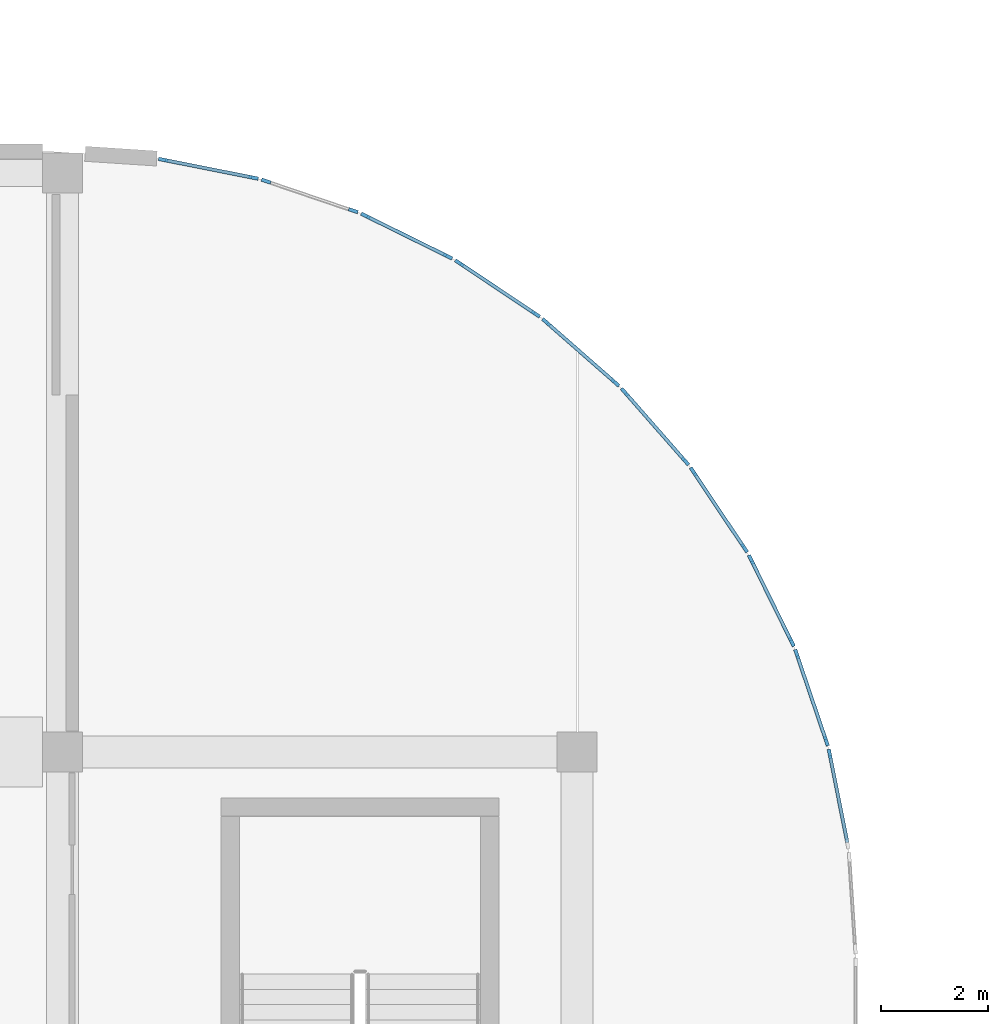
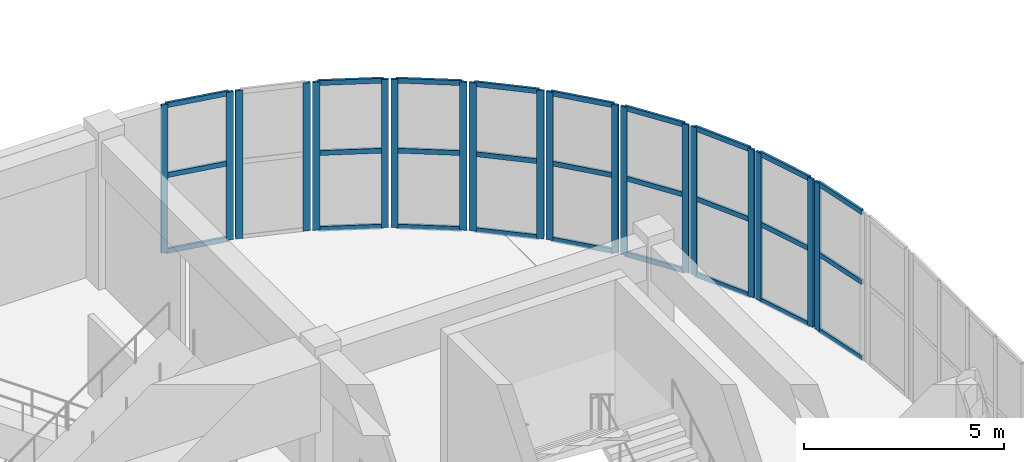
# One storey, part 12 of 28: 46 members, 10 elements without a shape of their own.
"""IFC4 building model written with IfcOpenShell, lengths in metres."""

from ifc_helpers import new_model, si_unit, direction, frame, origin, origin_2d, place, context, subcontext, project, spatial, rectangle, extrude, material, layer, layer_set, material_profile, profile_set, type_object, element, aggregate, save


model = new_model("IFC4")

# Units and contexts
model_context = context("Model", 3, precision=1e-05, world=origin(), true_north=direction((0.0, 1.0)))
body_context = subcontext(model_context, "Body", "Model", "MODEL_VIEW")
ifc_project = project(units=[si_unit("LENGTHUNIT", "METRE"), si_unit("AREAUNIT", "SQUARE_METRE"), si_unit("VOLUMEUNIT", "CUBIC_METRE"), si_unit("PLANEANGLEUNIT", "RADIAN"), si_unit("MASSUNIT", "GRAM", prefix="KILO")], contexts=[model_context])

# Site, building, storey
site_placement = place(None, origin())
site = spatial("IfcSite", under=ifc_project, at=site_placement, CompositionType="ELEMENT")
building_placement = place(site_placement, origin())
building = spatial("IfcBuilding", under=site, at=building_placement, Name="Cendralis Terraced Arcade", CompositionType="ELEMENT")
storey_placement = place(building_placement, frame((0.0, 0.0, 24.60009765625)))
storey = spatial("IfcBuildingStorey", under=building, at=storey_placement, Name="L05", CompositionType="ELEMENT", Elevation=24.60009765625)

# Curtain wall, members
ifc_material = material(Name="Anodised aluminium EN AW-6063 T6", Category="aluminium")
ifc_layer = layer(ifc_material, 0.179931640625, Name="CW-UNIT-A")
ifc_layer_set = layer_set([ifc_layer], Name="Anodised aluminium EN AW-6063 T6")
curtain_wall_type = type_object("IfcCurtainWallType", Name="CW-UNIT-A", PredefinedType="USERDEFINED", material=ifc_layer_set)
curtain_wall_1_placement = place(storey_placement, origin())
curtain_wall_1 = element("IfcCurtainWall", 1, at=curtain_wall_1_placement, inside=storey, type_object=curtain_wall_type, Name="Exterior Unitised Facade CW-L05-0390", ObjectType="UNITISED FACADE", PredefinedType="USERDEFINED")
ifc_material_profile_1 = material_profile(ifc_material, rectangle(XDim=0.06494140625, YDim=0.179931640625, at=origin_2d()), Name="ALU-MUL-65x180")
ifc_profile_set_1 = profile_set([ifc_material_profile_1], Name="Anodised aluminium EN AW-6063 T6")
member_type_1 = type_object("IfcMemberType", Name="CW-UNIT-A-MUL", PredefinedType="MULLION", material=ifc_profile_set_1)
member_1_placement = place(storey_placement, frame((49.878173828125, 49.44775390625, 0.0), z_axis=(0.0, 0.0, 1.0), x_axis=(0.195058454434, 0.980791618721, 0.0)))
member_1 = element("IfcMember", 2, at=member_1_placement, type_object=member_type_1, Name="CW-U1 mullion 1", PredefinedType="MULLION", context=body_context, shape_type="SweptSolid", body=[
    extrude(rectangle(XDim=0.06494140625, YDim=0.179931640625, at=origin_2d()), origin(), (0.0, 0.0, 1.0), 4.510009765625),
])
member_2_placement = place(storey_placement, frame((51.56201171875, 49.11279296875, 0.0), z_axis=(0.0, 0.0, 1.0), x_axis=(0.195058454434, 0.980791618721, 0.0)))
member_2 = element("IfcMember", 3, at=member_2_placement, type_object=member_type_1, Name="CW-U1 mullion 2", PredefinedType="MULLION", context=body_context, shape_type="SweptSolid", body=[
    extrude(rectangle(XDim=0.06494140625, YDim=0.179931640625, at=origin_2d()), origin(), (0.0, 0.0, 1.0), 4.510009765625),
])

curtain_wall_2_placement = place(storey_placement, origin())
curtain_wall_2 = element("IfcCurtainWall", 4, at=curtain_wall_2_placement, inside=storey, type_object=curtain_wall_type, Name="Exterior Unitised Facade CW-L05-0391", ObjectType="UNITISED FACADE", PredefinedType="USERDEFINED")
member_3_placement = place(storey_placement, frame((51.79833984375, 49.049560546875, 0.0), z_axis=(0.0, 0.0, 1.0), x_axis=(0.321458077458, 0.946923811316, 0.0)))
member_3 = element("IfcMember", 5, at=member_3_placement, type_object=member_type_1, Name="CW-U1 mullion 1", PredefinedType="MULLION", context=body_context, shape_type="SweptSolid", body=[
    extrude(rectangle(XDim=0.06494140625, YDim=0.179931640625, at=origin_2d()), origin(), (0.0, 0.0, 1.0), 4.510009765625),
])
member_4_placement = place(storey_placement, frame((53.42431640625, 48.49755859375, 0.0), z_axis=(0.0, 0.0, 1.0), x_axis=(0.321458077458, 0.946923811316, 0.0)))
member_4 = element("IfcMember", 6, at=member_4_placement, type_object=member_type_1, Name="CW-U1 mullion 2", PredefinedType="MULLION", context=body_context, shape_type="SweptSolid", body=[
    extrude(rectangle(XDim=0.06494140625, YDim=0.179931640625, at=origin_2d()), origin(), (0.0, 0.0, 1.0), 4.510009765625),
])
aggregate(curtain_wall_2, [member_3, member_4])

curtain_wall_3_placement = place(storey_placement, origin())
curtain_wall_3 = element("IfcCurtainWall", 7, at=curtain_wall_3_placement, inside=storey, type_object=curtain_wall_type, Name="Exterior Unitised Facade CW-L05-0392", ObjectType="UNITISED FACADE", PredefinedType="USERDEFINED")
member_5_placement = place(storey_placement, frame((53.650146484375, 48.404052734375, 0.0), z_axis=(0.0, 0.0, 1.0), x_axis=(0.442291247495, 0.896871480419, 0.0)))
member_5 = element("IfcMember", 8, at=member_5_placement, type_object=member_type_1, Name="CW-U1 mullion 1", PredefinedType="MULLION", context=body_context, shape_type="SweptSolid", body=[
    extrude(rectangle(XDim=0.06494140625, YDim=0.179931640625, at=origin_2d()), origin(), (0.0, 0.0, 1.0), 4.510009765625),
])
member_6_placement = place(storey_placement, frame((55.190185546875, 47.64453125, 0.0), z_axis=(0.0, 0.0, 1.0), x_axis=(0.442291247495, 0.896871480419, 0.0)))
member_6 = element("IfcMember", 9, at=member_6_placement, type_object=member_type_1, Name="CW-U1 mullion 2", PredefinedType="MULLION", context=body_context, shape_type="SweptSolid", body=[
    extrude(rectangle(XDim=0.06494140625, YDim=0.179931640625, at=origin_2d()), origin(), (0.0, 0.0, 1.0), 4.510009765625),
])

curtain_wall_4_placement = place(storey_placement, origin())
curtain_wall_4 = element("IfcCurtainWall", 10, at=curtain_wall_4_placement, inside=storey, type_object=curtain_wall_type, Name="Exterior Unitised Facade CW-L05-0393", ObjectType="UNITISED FACADE", PredefinedType="USERDEFINED")
member_7_placement = place(storey_placement, frame((55.40185546875, 47.5224609375, 0.0), z_axis=(0.0, 0.0, 1.0), x_axis=(0.555567476528, 0.831471454125, 0.0)))
member_7 = element("IfcMember", 11, at=member_7_placement, type_object=member_type_1, Name="CW-U1 mullion 1", PredefinedType="MULLION", context=body_context, shape_type="SweptSolid", body=[
    extrude(rectangle(XDim=0.06494140625, YDim=0.179931640625, at=origin_2d()), origin(), (0.0, 0.0, 1.0), 4.510009765625),
])
member_8_placement = place(storey_placement, frame((56.82958984375, 46.568359375, 0.0), z_axis=(0.0, 0.0, 1.0), x_axis=(0.555567476528, 0.831471454125, 0.0)))
member_8 = element("IfcMember", 12, at=member_8_placement, type_object=member_type_1, Name="CW-U1 mullion 2", PredefinedType="MULLION", context=body_context, shape_type="SweptSolid", body=[
    extrude(rectangle(XDim=0.06494140625, YDim=0.179931640625, at=origin_2d()), origin(), (0.0, 0.0, 1.0), 4.510009765625),
])

curtain_wall_5_placement = place(storey_placement, origin())
curtain_wall_5 = element("IfcCurtainWall", 13, at=curtain_wall_5_placement, inside=storey, type_object=curtain_wall_type, Name="Exterior Unitised Facade CW-L05-0394", ObjectType="UNITISED FACADE", PredefinedType="USERDEFINED")
member_9_placement = place(storey_placement, frame((57.0234375, 46.419677734375, 0.0), z_axis=(0.0, 0.0, 1.0), x_axis=(0.659386076266, 0.751804497477, 0.0)))
member_9 = element("IfcMember", 14, at=member_9_placement, type_object=member_type_1, Name="CW-U1 mullion 1", PredefinedType="MULLION", context=body_context, shape_type="SweptSolid", body=[
    extrude(rectangle(XDim=0.06494140625, YDim=0.179931640625, at=origin_2d()), origin(), (0.0, 0.0, 1.0), 4.510009765625),
])
member_10_placement = place(storey_placement, frame((58.314453125, 45.287353515625, 0.0), z_axis=(0.0, 0.0, 1.0), x_axis=(0.659386076266, 0.751804497477, 0.0)))
member_10 = element("IfcMember", 15, at=member_10_placement, type_object=member_type_1, Name="CW-U1 mullion 2", PredefinedType="MULLION", context=body_context, shape_type="SweptSolid", body=[
    extrude(rectangle(XDim=0.06494140625, YDim=0.179931640625, at=origin_2d()), origin(), (0.0, 0.0, 1.0), 4.510009765625),
])

curtain_wall_6_placement = place(storey_placement, origin())
curtain_wall_6 = element("IfcCurtainWall", 16, at=curtain_wall_6_placement, inside=storey, type_object=curtain_wall_type, Name="Exterior Unitised Facade CW-L05-0395", ObjectType="UNITISED FACADE", PredefinedType="USERDEFINED")
member_11_placement = place(storey_placement, frame((58.4873046875, 45.114501953125, 0.0), z_axis=(0.0, 0.0, 1.0), x_axis=(0.751804497477, 0.659386076266, 0.0)))
member_11 = element("IfcMember", 17, at=member_11_placement, type_object=member_type_1, Name="CW-U1 mullion 1", PredefinedType="MULLION", context=body_context, shape_type="SweptSolid", body=[
    extrude(rectangle(XDim=0.06494140625, YDim=0.179931640625, at=origin_2d()), origin(), (0.0, 0.0, 1.0), 4.510009765625),
])
member_12_placement = place(storey_placement, frame((59.61962890625, 43.823486328125, 0.0), z_axis=(0.0, 0.0, 1.0), x_axis=(0.751804497477, 0.659386076266, 0.0)))
member_12 = element("IfcMember", 18, at=member_12_placement, type_object=member_type_1, Name="CW-U1 mullion 2", PredefinedType="MULLION", context=body_context, shape_type="SweptSolid", body=[
    extrude(rectangle(XDim=0.06494140625, YDim=0.179931640625, at=origin_2d()), origin(), (0.0, 0.0, 1.0), 4.510009765625),
])

curtain_wall_7_placement = place(storey_placement, origin())
curtain_wall_7 = element("IfcCurtainWall", 19, at=curtain_wall_7_placement, inside=storey, type_object=curtain_wall_type, Name="Exterior Unitised Facade CW-L05-0396", ObjectType="UNITISED FACADE", PredefinedType="USERDEFINED")
member_13_placement = place(storey_placement, frame((59.768310546875, 43.629638671875, 0.0), z_axis=(0.0, 0.0, 1.0), x_axis=(0.831471454125, 0.555567476528, 0.0)))
member_13 = element("IfcMember", 20, at=member_13_placement, type_object=member_type_1, Name="CW-U1 mullion 1", PredefinedType="MULLION", context=body_context, shape_type="SweptSolid", body=[
    extrude(rectangle(XDim=0.06494140625, YDim=0.179931640625, at=origin_2d()), origin(), (0.0, 0.0, 1.0), 4.510009765625),
])
member_14_placement = place(storey_placement, frame((60.722412109375, 42.201904296875, 0.0), z_axis=(0.0, 0.0, 1.0), x_axis=(0.831471454125, 0.555567476528, 0.0)))
member_14 = element("IfcMember", 21, at=member_14_placement, type_object=member_type_1, Name="CW-U1 mullion 2", PredefinedType="MULLION", context=body_context, shape_type="SweptSolid", body=[
    extrude(rectangle(XDim=0.06494140625, YDim=0.179931640625, at=origin_2d()), origin(), (0.0, 0.0, 1.0), 4.510009765625),
])

curtain_wall_8_placement = place(storey_placement, origin())
curtain_wall_8 = element("IfcCurtainWall", 22, at=curtain_wall_8_placement, inside=storey, type_object=curtain_wall_type, Name="Exterior Unitised Facade CW-L05-0397", ObjectType="UNITISED FACADE", PredefinedType="USERDEFINED")
member_15_placement = place(storey_placement, frame((60.844482421875, 41.990234375, 0.0), z_axis=(0.0, 0.0, 1.0), x_axis=(0.896871480419, 0.442291247495, 0.0)))
member_15 = element("IfcMember", 23, at=member_15_placement, type_object=member_type_1, Name="CW-U1 mullion 1", PredefinedType="MULLION", context=body_context, shape_type="SweptSolid", body=[
    extrude(rectangle(XDim=0.06494140625, YDim=0.179931640625, at=origin_2d()), origin(), (0.0, 0.0, 1.0), 4.510009765625),
])
member_16_placement = place(storey_placement, frame((61.60400390625, 40.4501953125, 0.0), z_axis=(0.0, 0.0, 1.0), x_axis=(0.896871480419, 0.442291247495, 0.0)))
member_16 = element("IfcMember", 24, at=member_16_placement, type_object=member_type_1, Name="CW-U1 mullion 2", PredefinedType="MULLION", context=body_context, shape_type="SweptSolid", body=[
    extrude(rectangle(XDim=0.06494140625, YDim=0.179931640625, at=origin_2d()), origin(), (0.0, 0.0, 1.0), 4.510009765625),
])

curtain_wall_9_placement = place(storey_placement, origin())
curtain_wall_9 = element("IfcCurtainWall", 25, at=curtain_wall_9_placement, inside=storey, type_object=curtain_wall_type, Name="Exterior Unitised Facade CW-L05-0398", ObjectType="UNITISED FACADE", PredefinedType="USERDEFINED")
member_17_placement = place(storey_placement, frame((61.697509765625, 40.224365234375, 0.0), z_axis=(0.0, 0.0, 1.0), x_axis=(0.946923811316, 0.321458077458, 0.0)))
member_17 = element("IfcMember", 26, at=member_17_placement, type_object=member_type_1, Name="CW-U1 mullion 1", PredefinedType="MULLION", context=body_context, shape_type="SweptSolid", body=[
    extrude(rectangle(XDim=0.06494140625, YDim=0.179931640625, at=origin_2d()), origin(), (0.0, 0.0, 1.0), 4.510009765625),
])
member_18_placement = place(storey_placement, frame((62.24951171875, 38.598388671875, 0.0), z_axis=(0.0, 0.0, 1.0), x_axis=(0.946923811316, 0.321458077458, 0.0)))
member_18 = element("IfcMember", 27, at=member_18_placement, type_object=member_type_1, Name="CW-U1 mullion 2", PredefinedType="MULLION", context=body_context, shape_type="SweptSolid", body=[
    extrude(rectangle(XDim=0.06494140625, YDim=0.179931640625, at=origin_2d()), origin(), (0.0, 0.0, 1.0), 4.510009765625),
])

# Curtain wall, member
curtain_wall_10_placement = place(storey_placement, origin())
curtain_wall_10 = element("IfcCurtainWall", 28, at=curtain_wall_10_placement, inside=storey, type_object=curtain_wall_type, Name="Exterior Unitised Facade CW-L05-0399", ObjectType="UNITISED FACADE", PredefinedType="USERDEFINED")
member_19_placement = place(storey_placement, frame((62.312744140625, 38.362060546875, 0.0), z_axis=(0.0, 0.0, 1.0), x_axis=(0.980791618721, 0.195058454434, 0.0)))
member_19 = element("IfcMember", 29, at=member_19_placement, type_object=member_type_1, Name="CW-U1 mullion 1", PredefinedType="MULLION", context=body_context, shape_type="SweptSolid", body=[
    extrude(rectangle(XDim=0.06494140625, YDim=0.179931640625, at=origin_2d()), origin(), (0.0, 0.0, 1.0), 4.510009765625),
])

# Member
ifc_material_profile_2 = material_profile(ifc_material, rectangle(XDim=0.06494140625, YDim=0.14990234375, at=origin_2d()), Name="ALU-TRN-65x150")
ifc_profile_set_2 = profile_set([ifc_material_profile_2], Name="Anodised aluminium EN AW-6063 T6")
member_type_2 = type_object("IfcMemberType", Name="CW-UNIT-A-TRN", PredefinedType="USERDEFINED", material=ifc_profile_set_2)
member_20_placement = place(storey_placement, frame((49.909912109375, 49.44140625, 0.032470703125), z_axis=(0.980790408784, -0.195064538134, 0.0), x_axis=(0.195064538134, 0.980790408784, 0.0)))
member_20 = element("IfcMember", 30, at=member_20_placement, type_object=member_type_2, Name="CW-U1 transom 1.1", ObjectType="TRANSOM", PredefinedType="USERDEFINED", context=body_context, shape_type="SweptSolid", body=[
    extrude(rectangle(XDim=0.06494140625, YDim=0.14990234375, at=origin_2d()), origin(), (0.0, 0.0, 1.0), 1.652099609375),
])

member_21_placement = place(storey_placement, frame((49.909912109375, 49.44140625, 2.34521484375), z_axis=(0.980790408784, -0.195064538134, 0.0), x_axis=(0.195064538134, 0.980790408784, 0.0)))
member_21 = element("IfcMember", 31, at=member_21_placement, type_object=member_type_2, Name="CW-U1 transom 1.2", ObjectType="TRANSOM", PredefinedType="USERDEFINED", context=body_context, shape_type="SweptSolid", body=[
    extrude(rectangle(XDim=0.06494140625, YDim=0.14990234375, at=origin_2d()), origin(), (0.0, 0.0, 1.0), 1.652099609375),
])

member_22_placement = place(storey_placement, frame((49.909912109375, 49.44140625, 4.477294921875), z_axis=(0.980790408784, -0.195064538134, 0.0), x_axis=(0.195064538134, 0.980790408784, 0.0)))
member_22 = element("IfcMember", 32, at=member_22_placement, type_object=member_type_2, Name="CW-U1 transom 1.3", ObjectType="TRANSOM", PredefinedType="USERDEFINED", context=body_context, shape_type="SweptSolid", body=[
    extrude(rectangle(XDim=0.06494140625, YDim=0.14990234375, at=origin_2d()), origin(), (0.0, 0.0, 1.0), 1.652099609375),
])

aggregate(curtain_wall_1, [member_1, member_2, member_20, member_21, member_22])

member_23_placement = place(storey_placement, frame((53.67919921875, 48.3896484375, 0.032470703125), z_axis=(0.896866855431, -0.442300625853, 0.0), x_axis=(0.442300625853, 0.896866855431, 0.0)))
member_23 = element("IfcMember", 33, at=member_23_placement, type_object=member_type_2, Name="CW-U1 transom 1.1", ObjectType="TRANSOM", PredefinedType="USERDEFINED", context=body_context, shape_type="SweptSolid", body=[
    extrude(rectangle(XDim=0.06494140625, YDim=0.14990234375, at=origin_2d()), origin(), (0.0, 0.0, 1.0), 1.652099609375),
])

member_24_placement = place(storey_placement, frame((53.67919921875, 48.3896484375, 2.34521484375), z_axis=(0.896866855431, -0.442300625853, 0.0), x_axis=(0.442300625853, 0.896866855431, 0.0)))
member_24 = element("IfcMember", 34, at=member_24_placement, type_object=member_type_2, Name="CW-U1 transom 1.2", ObjectType="TRANSOM", PredefinedType="USERDEFINED", context=body_context, shape_type="SweptSolid", body=[
    extrude(rectangle(XDim=0.06494140625, YDim=0.14990234375, at=origin_2d()), origin(), (0.0, 0.0, 1.0), 1.652099609375),
])

member_25_placement = place(storey_placement, frame((53.67919921875, 48.3896484375, 4.477294921875), z_axis=(0.896866855431, -0.442300625853, 0.0), x_axis=(0.442300625853, 0.896866855431, 0.0)))
member_25 = element("IfcMember", 35, at=member_25_placement, type_object=member_type_2, Name="CW-U1 transom 1.3", ObjectType="TRANSOM", PredefinedType="USERDEFINED", context=body_context, shape_type="SweptSolid", body=[
    extrude(rectangle(XDim=0.06494140625, YDim=0.14990234375, at=origin_2d()), origin(), (0.0, 0.0, 1.0), 1.652099609375),
])

aggregate(curtain_wall_3, [member_5, member_6, member_23, member_24, member_25])

member_26_placement = place(storey_placement, frame((55.428955078125, 47.50439453125, 0.032470703125), z_axis=(0.831413153436, -0.555654720391, 0.0), x_axis=(0.555654720391, 0.831413153436, 0.0)))
member_26 = element("IfcMember", 36, at=member_26_placement, type_object=member_type_2, Name="CW-U1 transom 1.1", ObjectType="TRANSOM", PredefinedType="USERDEFINED", context=body_context, shape_type="SweptSolid", body=[
    extrude(rectangle(XDim=0.06494140625, YDim=0.14990234375, at=origin_2d()), origin(), (0.0, 0.0, 1.0), 1.652099609375),
])

member_27_placement = place(storey_placement, frame((55.428955078125, 47.50439453125, 2.34521484375), z_axis=(0.831413153436, -0.555654720391, 0.0), x_axis=(0.555654720391, 0.831413153436, 0.0)))
member_27 = element("IfcMember", 37, at=member_27_placement, type_object=member_type_2, Name="CW-U1 transom 1.2", ObjectType="TRANSOM", PredefinedType="USERDEFINED", context=body_context, shape_type="SweptSolid", body=[
    extrude(rectangle(XDim=0.06494140625, YDim=0.14990234375, at=origin_2d()), origin(), (0.0, 0.0, 1.0), 1.652099609375),
])

member_28_placement = place(storey_placement, frame((55.428955078125, 47.50439453125, 4.477294921875), z_axis=(0.831413153436, -0.555654720391, 0.0), x_axis=(0.555654720391, 0.831413153436, 0.0)))
member_28 = element("IfcMember", 38, at=member_28_placement, type_object=member_type_2, Name="CW-U1 transom 1.3", ObjectType="TRANSOM", PredefinedType="USERDEFINED", context=body_context, shape_type="SweptSolid", body=[
    extrude(rectangle(XDim=0.06494140625, YDim=0.14990234375, at=origin_2d()), origin(), (0.0, 0.0, 1.0), 1.652099609375),
])

aggregate(curtain_wall_4, [member_7, member_8, member_26, member_27, member_28])

member_29_placement = place(storey_placement, frame((57.0478515625, 46.398193359375, 0.032470703125), z_axis=(0.751843927425, -0.659341117172, 0.0), x_axis=(0.659341117172, 0.751843927425, 0.0)))
member_29 = element("IfcMember", 39, at=member_29_placement, type_object=member_type_2, Name="CW-U1 transom 1.1", ObjectType="TRANSOM", PredefinedType="USERDEFINED", context=body_context, shape_type="SweptSolid", body=[
    extrude(rectangle(XDim=0.06494140625, YDim=0.14990234375, at=origin_2d()), origin(), (0.0, 0.0, 1.0), 1.652099609375),
])

member_30_placement = place(storey_placement, frame((57.0478515625, 46.398193359375, 2.34521484375), z_axis=(0.751843927425, -0.659341117172, 0.0), x_axis=(0.659341117172, 0.751843927425, 0.0)))
member_30 = element("IfcMember", 40, at=member_30_placement, type_object=member_type_2, Name="CW-U1 transom 1.2", ObjectType="TRANSOM", PredefinedType="USERDEFINED", context=body_context, shape_type="SweptSolid", body=[
    extrude(rectangle(XDim=0.06494140625, YDim=0.14990234375, at=origin_2d()), origin(), (0.0, 0.0, 1.0), 1.652099609375),
])

member_31_placement = place(storey_placement, frame((57.0478515625, 46.398193359375, 4.477294921875), z_axis=(0.751843927425, -0.659341117172, 0.0), x_axis=(0.659341117172, 0.751843927425, 0.0)))
member_31 = element("IfcMember", 41, at=member_31_placement, type_object=member_type_2, Name="CW-U1 transom 1.3", ObjectType="TRANSOM", PredefinedType="USERDEFINED", context=body_context, shape_type="SweptSolid", body=[
    extrude(rectangle(XDim=0.06494140625, YDim=0.14990234375, at=origin_2d()), origin(), (0.0, 0.0, 1.0), 1.652099609375),
])

aggregate(curtain_wall_5, [member_9, member_10, member_29, member_30, member_31])

member_32_placement = place(storey_placement, frame((58.5087890625, 45.090087890625, 0.032470703125), z_axis=(0.659341117172, -0.751843927425, 0.0), x_axis=(0.751843927425, 0.659341117172, 0.0)))
member_32 = element("IfcMember", 42, at=member_32_placement, type_object=member_type_2, Name="CW-U1 transom 1.1", ObjectType="TRANSOM", PredefinedType="USERDEFINED", context=body_context, shape_type="SweptSolid", body=[
    extrude(rectangle(XDim=0.06494140625, YDim=0.14990234375, at=origin_2d()), origin(), (0.0, 0.0, 1.0), 1.652099609375),
])

member_33_placement = place(storey_placement, frame((58.5087890625, 45.090087890625, 2.34521484375), z_axis=(0.659341117172, -0.751843927425, 0.0), x_axis=(0.751843927425, 0.659341117172, 0.0)))
member_33 = element("IfcMember", 43, at=member_33_placement, type_object=member_type_2, Name="CW-U1 transom 1.2", ObjectType="TRANSOM", PredefinedType="USERDEFINED", context=body_context, shape_type="SweptSolid", body=[
    extrude(rectangle(XDim=0.06494140625, YDim=0.14990234375, at=origin_2d()), origin(), (0.0, 0.0, 1.0), 1.652099609375),
])

member_34_placement = place(storey_placement, frame((58.5087890625, 45.090087890625, 4.477294921875), z_axis=(0.659341117172, -0.751843927425, 0.0), x_axis=(0.751843927425, 0.659341117172, 0.0)))
member_34 = element("IfcMember", 44, at=member_34_placement, type_object=member_type_2, Name="CW-U1 transom 1.3", ObjectType="TRANSOM", PredefinedType="USERDEFINED", context=body_context, shape_type="SweptSolid", body=[
    extrude(rectangle(XDim=0.06494140625, YDim=0.14990234375, at=origin_2d()), origin(), (0.0, 0.0, 1.0), 1.652099609375),
])

aggregate(curtain_wall_6, [member_11, member_12, member_32, member_33, member_34])

member_35_placement = place(storey_placement, frame((59.786376953125, 43.6025390625, 0.032470703125), z_axis=(0.555586455466, -0.831458772582, 0.0), x_axis=(0.831458772582, 0.555586455466, 0.0)))
member_35 = element("IfcMember", 45, at=member_35_placement, type_object=member_type_2, Name="CW-U1 transom 1.1", ObjectType="TRANSOM", PredefinedType="USERDEFINED", context=body_context, shape_type="SweptSolid", body=[
    extrude(rectangle(XDim=0.06494140625, YDim=0.14990234375, at=origin_2d()), origin(), (0.0, 0.0, 1.0), 1.65234375),
])

member_36_placement = place(storey_placement, frame((59.786376953125, 43.6025390625, 2.34521484375), z_axis=(0.555586455466, -0.831458772582, 0.0), x_axis=(0.831458772582, 0.555586455466, 0.0)))
member_36 = element("IfcMember", 46, at=member_36_placement, type_object=member_type_2, Name="CW-U1 transom 1.2", ObjectType="TRANSOM", PredefinedType="USERDEFINED", context=body_context, shape_type="SweptSolid", body=[
    extrude(rectangle(XDim=0.06494140625, YDim=0.14990234375, at=origin_2d()), origin(), (0.0, 0.0, 1.0), 1.65234375),
])

member_37_placement = place(storey_placement, frame((59.786376953125, 43.6025390625, 4.477294921875), z_axis=(0.555586455466, -0.831458772582, 0.0), x_axis=(0.831458772582, 0.555586455466, 0.0)))
member_37 = element("IfcMember", 47, at=member_37_placement, type_object=member_type_2, Name="CW-U1 transom 1.3", ObjectType="TRANSOM", PredefinedType="USERDEFINED", context=body_context, shape_type="SweptSolid", body=[
    extrude(rectangle(XDim=0.06494140625, YDim=0.14990234375, at=origin_2d()), origin(), (0.0, 0.0, 1.0), 1.65234375),
])

aggregate(curtain_wall_7, [member_13, member_14, member_35, member_36, member_37])

member_38_placement = place(storey_placement, frame((60.85888671875, 41.9609375, 0.032470703125), z_axis=(0.442300625853, -0.896866855431, 0.0), x_axis=(0.896866855431, 0.442300625853, 0.0)))
member_38 = element("IfcMember", 48, at=member_38_placement, type_object=member_type_2, Name="CW-U1 transom 1.1", ObjectType="TRANSOM", PredefinedType="USERDEFINED", context=body_context, shape_type="SweptSolid", body=[
    extrude(rectangle(XDim=0.06494140625, YDim=0.14990234375, at=origin_2d()), origin(), (0.0, 0.0, 1.0), 1.652099609375),
])

member_39_placement = place(storey_placement, frame((60.85888671875, 41.9609375, 2.34521484375), z_axis=(0.442300625853, -0.896866855431, 0.0), x_axis=(0.896866855431, 0.442300625853, 0.0)))
member_39 = element("IfcMember", 49, at=member_39_placement, type_object=member_type_2, Name="CW-U1 transom 1.2", ObjectType="TRANSOM", PredefinedType="USERDEFINED", context=body_context, shape_type="SweptSolid", body=[
    extrude(rectangle(XDim=0.06494140625, YDim=0.14990234375, at=origin_2d()), origin(), (0.0, 0.0, 1.0), 1.652099609375),
])

member_40_placement = place(storey_placement, frame((60.85888671875, 41.9609375, 4.477294921875), z_axis=(0.442300625853, -0.896866855431, 0.0), x_axis=(0.896866855431, 0.442300625853, 0.0)))
member_40 = element("IfcMember", 50, at=member_40_placement, type_object=member_type_2, Name="CW-U1 transom 1.3", ObjectType="TRANSOM", PredefinedType="USERDEFINED", context=body_context, shape_type="SweptSolid", body=[
    extrude(rectangle(XDim=0.06494140625, YDim=0.14990234375, at=origin_2d()), origin(), (0.0, 0.0, 1.0), 1.652099609375),
])

aggregate(curtain_wall_8, [member_15, member_16, member_38, member_39, member_40])

member_41_placement = place(storey_placement, frame((61.7080078125, 40.193603515625, 0.032470703125), z_axis=(0.321409930755, -0.94694015461, 0.0), x_axis=(0.94694015461, 0.321409930755, 0.0)))
member_41 = element("IfcMember", 51, at=member_41_placement, type_object=member_type_2, Name="CW-U1 transom 1.1", ObjectType="TRANSOM", PredefinedType="USERDEFINED", context=body_context, shape_type="SweptSolid", body=[
    extrude(rectangle(XDim=0.06494140625, YDim=0.14990234375, at=origin_2d()), origin(), (0.0, 0.0, 1.0), 1.652099609375),
])

member_42_placement = place(storey_placement, frame((61.7080078125, 40.193603515625, 2.34521484375), z_axis=(0.321409930755, -0.94694015461, 0.0), x_axis=(0.94694015461, 0.321409930755, 0.0)))
member_42 = element("IfcMember", 52, at=member_42_placement, type_object=member_type_2, Name="CW-U1 transom 1.2", ObjectType="TRANSOM", PredefinedType="USERDEFINED", context=body_context, shape_type="SweptSolid", body=[
    extrude(rectangle(XDim=0.06494140625, YDim=0.14990234375, at=origin_2d()), origin(), (0.0, 0.0, 1.0), 1.652099609375),
])

member_43_placement = place(storey_placement, frame((61.7080078125, 40.193603515625, 4.477294921875), z_axis=(0.321409930755, -0.94694015461, 0.0), x_axis=(0.94694015461, 0.321409930755, 0.0)))
member_43 = element("IfcMember", 53, at=member_43_placement, type_object=member_type_2, Name="CW-U1 transom 1.3", ObjectType="TRANSOM", PredefinedType="USERDEFINED", context=body_context, shape_type="SweptSolid", body=[
    extrude(rectangle(XDim=0.06494140625, YDim=0.14990234375, at=origin_2d()), origin(), (0.0, 0.0, 1.0), 1.652099609375),
])

aggregate(curtain_wall_9, [member_17, member_18, member_41, member_42, member_43])

member_44_placement = place(storey_placement, frame((62.319091796875, 38.330322265625, 0.032470703125), z_axis=(0.195064538134, -0.980790408784, 0.0), x_axis=(0.980790408784, 0.195064538134, 0.0)))
member_44 = element("IfcMember", 54, at=member_44_placement, type_object=member_type_2, Name="CW-U1 transom 1.1", ObjectType="TRANSOM", PredefinedType="USERDEFINED", context=body_context, shape_type="SweptSolid", body=[
    extrude(rectangle(XDim=0.06494140625, YDim=0.14990234375, at=origin_2d()), origin(), (0.0, 0.0, 1.0), 1.652099609375),
])

member_45_placement = place(storey_placement, frame((62.319091796875, 38.330322265625, 2.34521484375), z_axis=(0.195064538134, -0.980790408784, 0.0), x_axis=(0.980790408784, 0.195064538134, 0.0)))
member_45 = element("IfcMember", 55, at=member_45_placement, type_object=member_type_2, Name="CW-U1 transom 1.2", ObjectType="TRANSOM", PredefinedType="USERDEFINED", context=body_context, shape_type="SweptSolid", body=[
    extrude(rectangle(XDim=0.06494140625, YDim=0.14990234375, at=origin_2d()), origin(), (0.0, 0.0, 1.0), 1.652099609375),
])

member_46_placement = place(storey_placement, frame((62.319091796875, 38.330322265625, 4.477294921875), z_axis=(0.195064538134, -0.980790408784, 0.0), x_axis=(0.980790408784, 0.195064538134, 0.0)))
member_46 = element("IfcMember", 56, at=member_46_placement, type_object=member_type_2, Name="CW-U1 transom 1.3", ObjectType="TRANSOM", PredefinedType="USERDEFINED", context=body_context, shape_type="SweptSolid", body=[
    extrude(rectangle(XDim=0.06494140625, YDim=0.14990234375, at=origin_2d()), origin(), (0.0, 0.0, 1.0), 1.652099609375),
])

aggregate(curtain_wall_10, [member_19, member_44, member_45, member_46])

save(model, "model.ifc")
